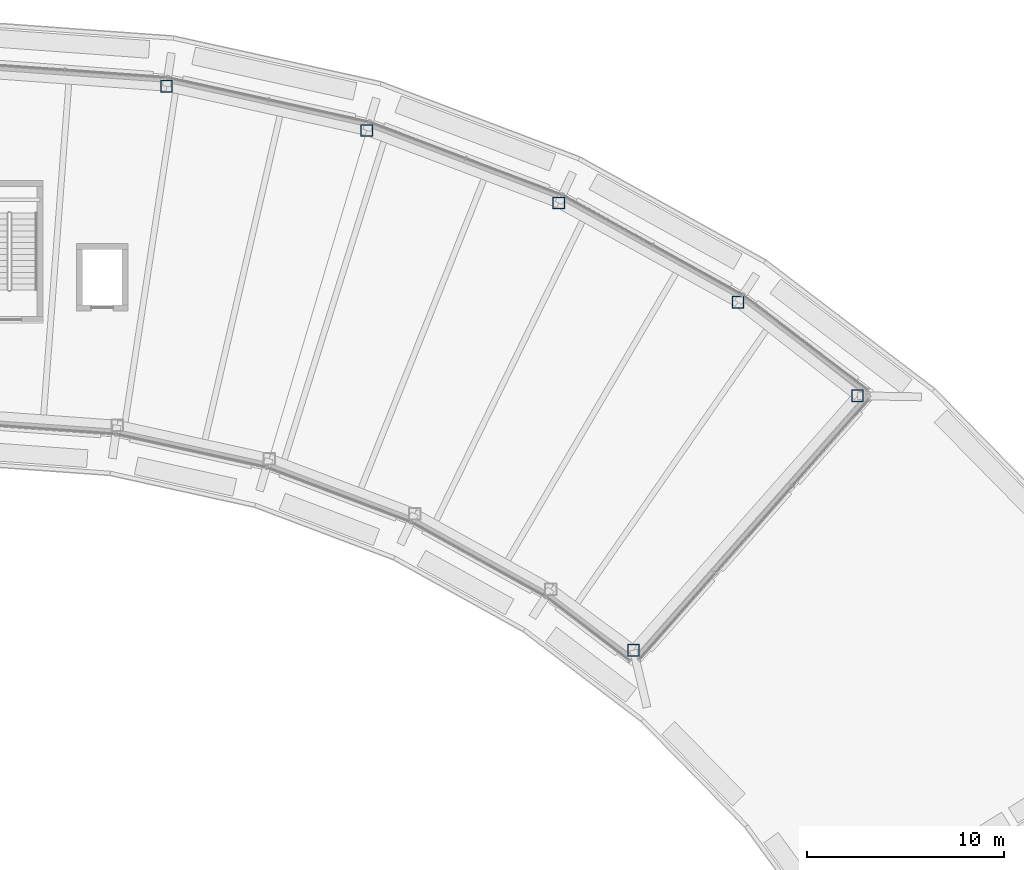
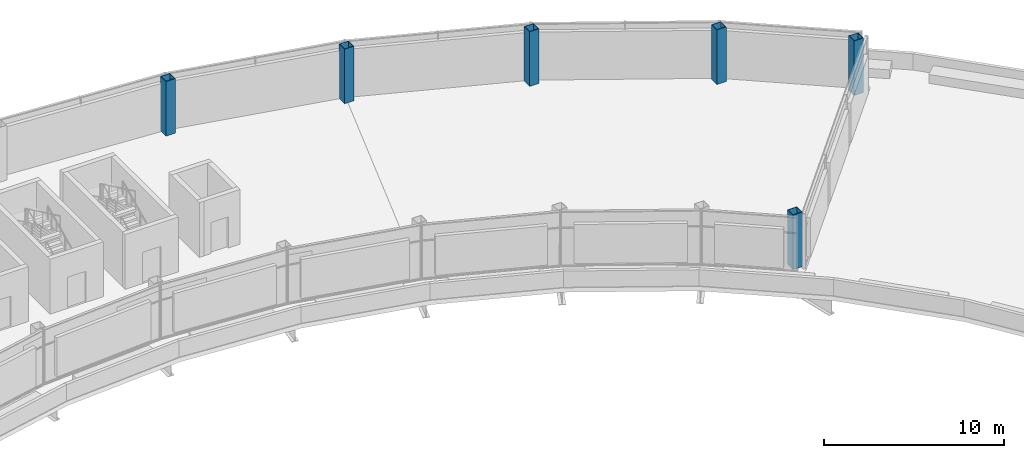
# One storey, part 2 of 17: 6 columns.
"""IFC4 building model written with IfcOpenShell, lengths in metres."""

from ifc_helpers import new_model, si_unit, direction, frame, origin, origin_2d, place, context, subcontext, project, spatial, hollow_rectangle, extrude, material, material_profile, profile_set, type_object, element, save


model = new_model("IFC4")

# Units and contexts
model_context = context("Model", 3, precision=1e-05, world=origin(), true_north=direction((0.0, 1.0)))
body_context = subcontext(model_context, "Body", "Model", "MODEL_VIEW")
ifc_project = project(units=[si_unit("LENGTHUNIT", "METRE"), si_unit("AREAUNIT", "SQUARE_METRE"), si_unit("VOLUMEUNIT", "CUBIC_METRE"), si_unit("PLANEANGLEUNIT", "RADIAN"), si_unit("MASSUNIT", "GRAM", prefix="KILO")], contexts=[model_context])

# Site, building, storey
site_placement = place(None, origin())
site = spatial("IfcSite", under=ifc_project, at=site_placement, CompositionType="ELEMENT")
building_placement = place(site_placement, origin())
building = spatial("IfcBuilding", under=site, at=building_placement, Name="Tuul Gate Civic Tower", CompositionType="ELEMENT")
storey_placement = place(building_placement, frame((0.0, 0.0, 360.10009765625)))
storey = spatial("IfcBuildingStorey", under=building, at=storey_placement, Name="Crown tier 1 lower", CompositionType="ELEMENT", Elevation=360.10009765625)

# Columns
ifc_material = material(Name="Steel S355", Category="steel")
ifc_material_profile = material_profile(ifc_material, hollow_rectangle(XDim=0.60009765625, YDim=0.60009765625, WallThickness=0.02490234375, at=origin_2d()), Name="BOX600x600x25")
ifc_profile_set = profile_set([ifc_material_profile], Name="Steel S355")
column_type = type_object("IfcColumnType", Name="STR-COLUMN-BOX600x600x25", PredefinedType="COLUMN", material=ifc_profile_set)
for number, where, z_axis, x_axis, name in (
    (1, (47.549072265625, -4.60107421875, 0.0), (0.0, 0.0, 1.0), (1.0, 0.0, 0.0), "Column"),
    (2, (41.498046875, 0.1259765625, 0.0), (0.0, 0.0, 1.0), (1.0, 0.0, 0.0), "Column"),
    (3, (32.4130859375, 5.162109375, 0.0), (0.0, 0.0, 1.0), (1.0, 0.0, 0.0), "Column"),
    (4, (22.697021484375, 8.8359375, 0.0), (0.0, 0.0, 1.0), (1.0, 0.0, 0.0), "Column"),
    (5, (12.552001953125, 11.072021484375, 0.0), (0.0, 0.0, 1.0), (1.0, 0.0, 0.0), "Column"),
    (6, (36.200927734375, -17.48291015625, 0.0), (0.0, 0.0, 1.0), (1.0, 0.0, 0.0), "Column"),
):
    element("IfcColumn", number, at=place(storey_placement, frame(where, z_axis=z_axis, x_axis=x_axis)), inside=storey, type_object=column_type, Name=name, PredefinedType="COLUMN", context=body_context, shape_type="SweptSolid", body=[
        extrude(hollow_rectangle(XDim=0.60009765625, YDim=0.60009765625, WallThickness=0.02490234375, at=origin_2d()), origin(), (0.0, 0.0, 1.0), 3.699951171875),
    ])

save(model, "model.ifc")
